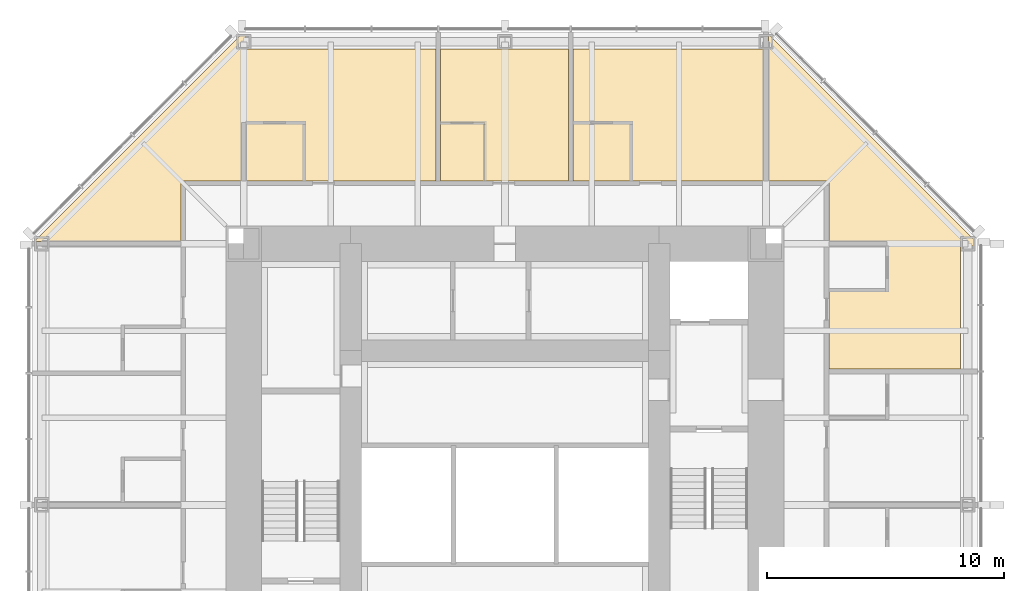
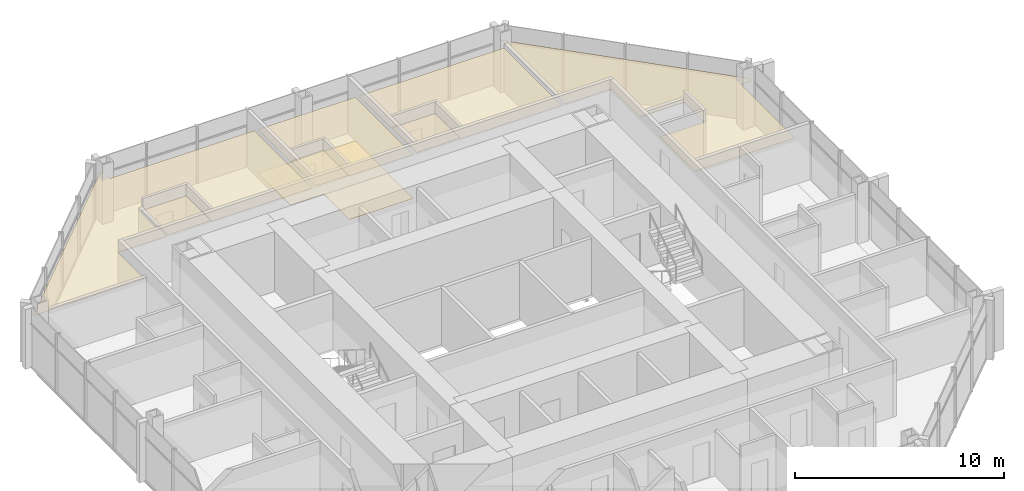
# One storey, part 12 of 12: 8 coverings.
"""IFC4 building model written with IfcOpenShell, lengths in metres."""

from ifc_helpers import new_model, si_unit, direction, frame, origin, place, context, subcontext, project, spatial, polyline, outline, extrude, material, layer, layer_set, type_object, element, save


model = new_model("IFC4")

# Units and contexts
model_context = context("Model", 3, precision=1e-05, world=origin(), true_north=direction((0.0, 1.0)))
body_context = subcontext(model_context, "Body", "Model", "MODEL_VIEW")
ifc_project = project(units=[si_unit("LENGTHUNIT", "METRE"), si_unit("AREAUNIT", "SQUARE_METRE"), si_unit("VOLUMEUNIT", "CUBIC_METRE"), si_unit("PLANEANGLEUNIT", "RADIAN"), si_unit("MASSUNIT", "GRAM", prefix="KILO")], contexts=[model_context])

# Site, building, storey
site_placement = place(None, origin())
site = spatial("IfcSite", under=ifc_project, at=site_placement, CompositionType="ELEMENT")
building_placement = place(site_placement, origin())
building = spatial("IfcBuilding", under=site, at=building_placement, Name="Trevanion Tower", CompositionType="ELEMENT")
storey_placement = place(building_placement, frame((0.0, 0.0, 204.699951171875)))
storey = spatial("IfcBuildingStorey", under=building, at=storey_placement, Name="L48", CompositionType="ELEMENT", Elevation=204.699951171875)

# Coverings
ifc_material_1 = material(Name="Gypsum plasterboard on suspended metal furring", Category="gypsum")
ifc_layer_1 = layer(ifc_material_1, 0.012939453125)
ifc_layer_set_1 = layer_set([ifc_layer_1], Name="CL3 plasterboard ceiling 13")
covering_type_1 = type_object("IfcCoveringType", Name="CL3 plasterboard ceiling 13", PredefinedType="CEILING", material=ifc_layer_set_1)
covering_1_placement = place(storey_placement, frame((0.0, 0.0, 2.551025390625)))
element("IfcCovering", 1, at=covering_1_placement, inside=storey, type_object=covering_type_1, Name="CL3 L48-GR3", PredefinedType="CEILING", context=body_context, shape_type="SweptSolid", body=[
    extrude(outline(polyline([(11.10009765625, 13.64990234375), (11.10009765625, 19.800048828125), (11.124267578125, 19.800048828125), (19.800048828125, 11.124267578125), (19.800048828125, 10.89990234375), (19.199951171875, 10.89990234375), (19.199951171875, 5.714111328125), (13.64990234375, 5.714111328125), (13.64990234375, 9.050048828125), (16.10009765625, 9.050048828125), (16.10009765625, 10.949951171875), (13.64990234375, 10.949951171875), (13.64990234375, 13.64990234375), (11.10009765625, 13.64990234375)])), origin(), (0.0, 0.0, 1.0), 0.012939453125),
])
covering_2_placement = place(storey_placement, frame((0.0, 0.0, 2.551025390625)))
element("IfcCovering", 2, at=covering_2_placement, inside=storey, type_object=covering_type_1, Name="CL3 L48-GJ", PredefinedType="CEILING", context=body_context, shape_type="SweptSolid", body=[
    extrude(outline(polyline([(5.324951171875, 13.64990234375), (5.324951171875, 16.10009765625), (2.875, 16.10009765625), (2.875, 19.199951171875), (10.89990234375, 19.199951171875), (10.89990234375, 13.64990234375), (5.324951171875, 13.64990234375)])), origin(), (0.0, 0.0, 1.0), 0.012939453125),
])
covering_3_placement = place(storey_placement, frame((0.0, 0.0, 2.551025390625)))
element("IfcCovering", 3, at=covering_3_placement, inside=storey, type_object=covering_type_1, Name="CL3 L48-GR4", PredefinedType="CEILING", context=body_context, shape_type="SweptSolid", body=[
    extrude(outline(polyline([(-0.85693359375, 13.64990234375), (-0.85693359375, 16.10009765625), (-2.70703125, 16.10009765625), (-2.70703125, 19.199951171875), (2.675048828125, 19.199951171875), (2.675048828125, 13.64990234375), (-0.85693359375, 13.64990234375)])), origin(), (0.0, 0.0, 1.0), 0.012939453125),
])
covering_4_placement = place(storey_placement, frame((0.0, 0.0, 2.551025390625)))
element("IfcCovering", 4, at=covering_4_placement, inside=storey, type_object=covering_type_1, Name="CL3 L48-GJ2", PredefinedType="CEILING", context=body_context, shape_type="SweptSolid", body=[
    extrude(outline(polyline([(-13.64990234375, 11.10009765625), (-19.800048828125, 11.10009765625), (-19.800048828125, 11.124267578125), (-11.124267578125, 19.800048828125), (-10.89990234375, 19.800048828125), (-10.89990234375, 19.199951171875), (-2.906982421875, 19.199951171875), (-2.906982421875, 13.64990234375), (-8.449951171875, 13.64990234375), (-8.449951171875, 16.10009765625), (-10.949951171875, 16.10009765625), (-10.949951171875, 13.64990234375), (-13.64990234375, 13.64990234375), (-13.64990234375, 11.10009765625)])), origin(), (0.0, 0.0, 1.0), 0.012939453125),
])
ifc_material_2 = material(Name="Moisture-resistant gypsum board on suspended metal furring", Category="gypsum")
ifc_layer_2 = layer(ifc_material_2, 0.01611328125)
ifc_layer_set_2 = layer_set([ifc_layer_2], Name="CL4 moisture-resistant board ceiling 16")
covering_type_2 = type_object("IfcCoveringType", Name="CL4 moisture-resistant board ceiling 16", PredefinedType="CEILING", material=ifc_layer_set_2)
covering_5_placement = place(storey_placement, frame((0.0, 0.0, 2.60009765625)))
element("IfcCovering", 5, at=covering_5_placement, inside=storey, type_object=covering_type_2, Name="CL4 L48-EN5", PredefinedType="CEILING", context=body_context, shape_type="SweptSolid", body=[
    extrude(outline(polyline([(5.27490234375, 16.050048828125), (2.875, 16.050048828125), (2.875, 13.64990234375), (5.27490234375, 13.64990234375), (5.27490234375, 16.050048828125)])), origin(), (0.0, 0.0, 1.0), 0.015869140625),
])
covering_6_placement = place(storey_placement, frame((0.0, 0.0, 2.60009765625)))
element("IfcCovering", 6, at=covering_6_placement, inside=storey, type_object=covering_type_2, Name="CL4 L48-EN6", PredefinedType="CEILING", context=body_context, shape_type="SweptSolid", body=[
    extrude(outline(polyline([(-0.906982421875, 16.050048828125), (-2.70703125, 16.050048828125), (-2.70703125, 13.64990234375), (-0.906982421875, 13.64990234375), (-0.906982421875, 16.050048828125)])), origin(), (0.0, 0.0, 1.0), 0.015869140625),
])
covering_7_placement = place(storey_placement, frame((0.0, 0.0, 2.60009765625)))
element("IfcCovering", 7, at=covering_7_placement, inside=storey, type_object=covering_type_2, Name="CL4 L48-EN7", PredefinedType="CEILING", context=body_context, shape_type="SweptSolid", body=[
    extrude(outline(polyline([(-8.5, 16.050048828125), (-10.89990234375, 16.050048828125), (-10.89990234375, 13.64990234375), (-8.5, 13.64990234375), (-8.5, 16.050048828125)])), origin(), (0.0, 0.0, 1.0), 0.015869140625),
])
ifc_material_3 = material(Name="Wool carpet on underlay", Category="textile")
ifc_layer_3 = layer(ifc_material_3, 0.011962890625)
ifc_layer_set_3 = layer_set([ifc_layer_3], Name="FF2 carpet flooring")
covering_type_3 = type_object("IfcCoveringType", Name="FF2 carpet flooring", PredefinedType="FLOORING", material=ifc_layer_set_3)
covering_8_placement = place(storey_placement, origin())
element("IfcCovering", 8, at=covering_8_placement, inside=storey, type_object=covering_type_3, Name="FF2 L48-GR4", PredefinedType="FLOORING", context=body_context, shape_type="SweptSolid", body=[
    extrude(outline(polyline([(-0.85693359375, 13.64990234375), (-0.85693359375, 16.10009765625), (-2.70703125, 16.10009765625), (-2.70703125, 19.199951171875), (2.675048828125, 19.199951171875), (2.675048828125, 13.64990234375), (-0.85693359375, 13.64990234375)])), origin(), (0.0, 0.0, 1.0), 0.011962890625),
])

save(model, "model.ifc")
